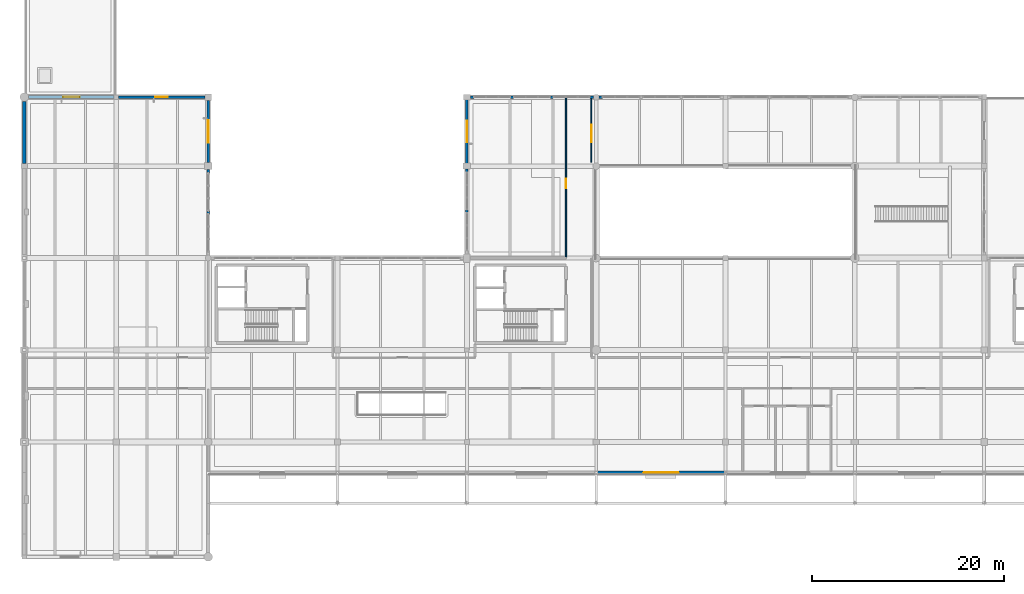
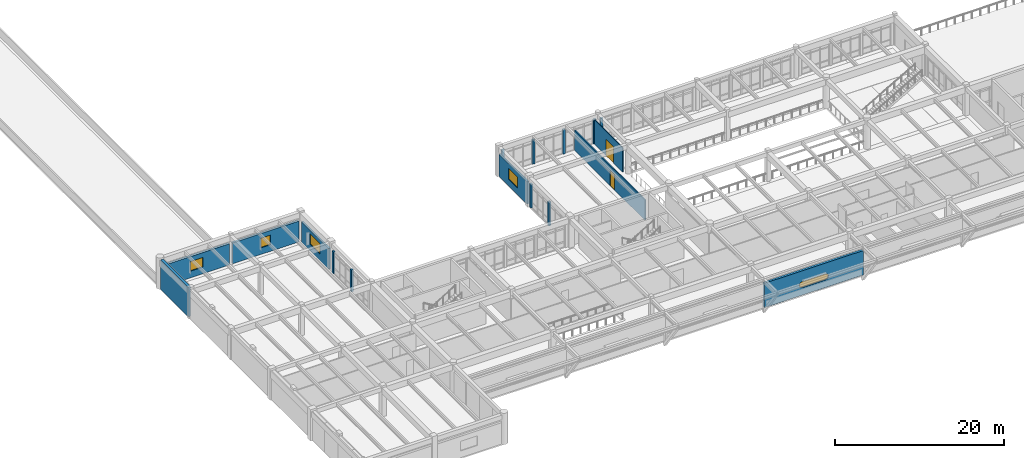
# One storey, part 89 of 109: 17 walls, 5 windows, 2 doors, 7 openings.
"""IFC4 building model written with IfcOpenShell, lengths in metres."""

from ifc_helpers import new_model, si_unit, direction, frame, frame_2d, origin, place, context, subcontext, project, spatial, polyline, rectangle, outline, extrude, material, layer, layer_set, type_object, element, fill, save


model = new_model("IFC4")

# Units and contexts
model_context = context("Model", 3, precision=1e-05, world=origin(), true_north=direction((0.0, 1.0)))
body_context = subcontext(model_context, "Body", "Model", "MODEL_VIEW")
ifc_project = project(units=[si_unit("LENGTHUNIT", "METRE"), si_unit("AREAUNIT", "SQUARE_METRE"), si_unit("VOLUMEUNIT", "CUBIC_METRE"), si_unit("PLANEANGLEUNIT", "RADIAN"), si_unit("MASSUNIT", "GRAM", prefix="KILO")], contexts=[model_context])

# Site, building, storey
site_placement = place(None, origin())
site = spatial("IfcSite", under=ifc_project, at=site_placement, CompositionType="ELEMENT")
building_placement = place(site_placement, origin())
building = spatial("IfcBuilding", under=site, at=building_placement, Name="Fikremerkos Civic Library", CompositionType="ELEMENT")
storey_placement = place(building_placement, frame((0.0, 0.0, 5.39990234375)))
storey = spatial("IfcBuildingStorey", under=building, at=storey_placement, Name="L01", CompositionType="ELEMENT", Elevation=5.39990234375)

# Wall
ifc_material_1 = material(Name="Concrete C40/50", Category="concrete")
ifc_layer_1 = layer(ifc_material_1, 0.35009765625, Name="Concrete C40/50")
ifc_layer_set_1 = layer_set([ifc_layer_1], Name="Concrete C40/50")
wall_type_1 = type_object("IfcWallType", Name="Exterior solid wall ESW-01 350", PredefinedType="SOLIDWALL", material=ifc_layer_set_1)
wall_1_placement = place(storey_placement, frame((0.0, 41.048095703125, 0.0), z_axis=(0.0, 0.0, 1.0), x_axis=(0.0, 1.0, 0.0)))
element("IfcWall", 1, at=wall_1_placement, inside=storey, type_object=wall_type_1, Name="Party boundary wall ESW-01 L01 #336", PredefinedType="SOLIDWALL", context=body_context, shape_type="SweptSolid", body=[
    extrude(rectangle(XDim=6.50390625, YDim=0.35009765625, at=frame_2d((3.251953125, 0.0))), origin(), (0.0, 0.0, 1.0), 4.260009765625),
])

# Wall, opening, window
ifc_material_2 = material(Name="Precast concrete C40/50", Category="concrete")
ifc_layer_2 = layer(ifc_material_2, 0.320068359375, Name="Precast concrete C40/50")
ifc_layer_set_2 = layer_set([ifc_layer_2], Name="Precast concrete C40/50")
wall_type_2 = type_object("IfcWallType", Name="Exterior solid wall ESW-02 320", PredefinedType="SOLIDWALL", material=ifc_layer_set_2)
wall_2_placement = place(storey_placement, frame((73.197998046875, 8.800048828125, 0.0), z_axis=(0.0, 0.0, 1.0), x_axis=(-1.0, 0.0, 0.0)))
wall_2 = element("IfcWall", 2, at=wall_2_placement, inside=storey, type_object=wall_type_2, Name="Cantilever concrete band wall ESW-02 L01 #409", PredefinedType="SOLIDWALL", context=body_context, shape_type="SweptSolid", body=[
    extrude(rectangle(XDim=13.49609375, YDim=0.320068359375, at=frame_2d((6.748046875, 0.0))), origin(), (0.0, 0.0, 1.0), 3.52001953125),
])
opening_1_placement = place(wall_2_placement, frame((4.748046875, 0.0, 1.10009765625)))
opening_1 = element("IfcOpeningElement", 3, at=opening_1_placement, cuts=wall_2, Name="Opening SW-04", PredefinedType="OPENING", context=body_context, shape_type="SweptSolid", body=[
    extrude(outline(polyline([(0.425048828125, 0.85009765625), (0.27978515625, 0.824462890625), (0.15185546875, 0.750732421875), (0.056884765625, 0.6376953125), (0.00634765625, 0.498779296875), (0.00634765625, 0.351318359375), (0.056884765625, 0.212646484375), (0.15185546875, 0.099365234375), (0.27978515625, 0.025634765625), (0.425048828125, 0.0), (3.574951171875, 0.0), (3.72021484375, 0.025634765625), (3.84814453125, 0.099365234375), (3.943115234375, 0.21240234375), (3.99365234375, 0.351318359375), (3.99365234375, 0.498779296875), (3.943115234375, 0.637451171875), (3.84814453125, 0.750732421875), (3.72021484375, 0.824462890625), (3.574951171875, 0.85009765625), (0.425048828125, 0.85009765625)])), frame((0.0, 0.169921875, 0.0), z_axis=(0.0, -1.0, 0.0), x_axis=(1.0, 0.0, 0.0)), (0.0, 0.0, 1.0), 0.340087890625),
])
ifc_material_3 = material(Name="Solar control double glazing", Category="glass")
window_type_1 = type_object("IfcWindowType", Name="Facade slot window SW-04 4000x850", PartitioningType="SINGLE_PANEL", PredefinedType="WINDOW", material=ifc_material_3)
window_1_placement = place(opening_1_placement, origin())
window_1 = element("IfcWindow", 4, at=window_1_placement, inside=storey, type_object=window_type_1, Name="Rounded-end facade slot window SW-04 L01 #4", OverallHeight=0.85009765625, OverallWidth=4.0, PartitioningType="SINGLE_PANEL", PredefinedType="WINDOW", context=body_context, shape_type="SweptSolid", body=[
    extrude(outline(polyline([(0.425048828125, 0.85009765625), (0.27978515625, 0.824462890625), (0.15185546875, 0.750732421875), (0.056884765625, 0.6376953125), (0.00634765625, 0.498779296875), (0.00634765625, 0.351318359375), (0.056884765625, 0.212646484375), (0.15185546875, 0.099365234375), (0.27978515625, 0.025634765625), (0.425048828125, 0.0), (3.574951171875, 0.0), (3.72021484375, 0.025634765625), (3.84814453125, 0.099365234375), (3.943115234375, 0.21240234375), (3.99365234375, 0.351318359375), (3.99365234375, 0.498779296875), (3.943115234375, 0.637451171875), (3.84814453125, 0.750732421875), (3.72021484375, 0.824462890625), (3.574951171875, 0.85009765625), (0.425048828125, 0.85009765625)])), frame((0.0, 0.032470703125, 0.0), z_axis=(0.0, -1.0, 0.0), x_axis=(1.0, 0.0, 0.0)), (0.0, 0.0, 1.0), 0.06494140625),
])
fill(opening_1, window_1)

ifc_layer_3 = layer(ifc_material_2, 0.300048828125, Name="Precast concrete C40/50")
ifc_layer_set_3 = layer_set([ifc_layer_3], Name="Precast concrete C40/50")
wall_type_3 = type_object("IfcWallType", Name="Exterior solid wall ESW-03 300", PredefinedType="SOLIDWALL", material=ifc_layer_set_3)
wall_3_placement = place(storey_placement, frame((0.447998046875, 48.0, 0.0), z_axis=(0.0, 0.0, 1.0), x_axis=(1.0, 0.0, 0.0)))
wall_3 = element("IfcWall", 5, at=wall_3_placement, inside=storey, type_object=wall_type_3, Name="Exterior solid wall ESW-03 L01 #337", PredefinedType="SOLIDWALL", context=body_context, shape_type="SweptSolid", body=[
    extrude(rectangle(XDim=8.928955078125, YDim=0.300048828125, at=frame_2d((4.46435546875, 0.0))), origin(), (0.0, 0.0, 1.0), 3.06005859375),
])
opening_2_placement = place(wall_3_placement, frame((3.614501953125, 0.0, 0.949951171875)))
opening_2 = element("IfcOpeningElement", 6, at=opening_2_placement, cuts=wall_3, Name="Opening CWND-15", PredefinedType="OPENING", context=body_context, shape_type="SweptSolid", body=[
    extrude(rectangle(XDim=1.699951171875, YDim=1.39990234375, at=frame_2d((0.85009765625, 0.699951171875))), frame((0.0, 0.159912109375, 0.0), z_axis=(0.0, -1.0, 0.0), x_axis=(1.0, 0.0, 0.0)), (0.0, 0.0, 1.0), 0.320068359375),
])
window_type_2 = type_object("IfcWindowType", Name="Courtyard window CWND-15 1700x1400", PartitioningType="SINGLE_PANEL", PredefinedType="WINDOW", material=ifc_material_3)
window_2_placement = place(opening_2_placement, origin())
window_2 = element("IfcWindow", 7, at=window_2_placement, inside=storey, type_object=window_type_2, Name="Courtyard window CWND-15 L01 #15", OverallHeight=1.39990234375, OverallWidth=1.699951171875, PartitioningType="SINGLE_PANEL", PredefinedType="WINDOW", context=body_context, shape_type="SweptSolid", body=[
    extrude(rectangle(XDim=1.699951171875, YDim=1.39990234375, at=frame_2d((0.85009765625, 0.699951171875))), frame((0.0, 0.032470703125, 0.0), z_axis=(0.0, -1.0, 0.0), x_axis=(1.0, 0.0, 0.0)), (0.0, 0.0, 1.0), 0.06494140625),
])
fill(opening_2, window_2)

ifc_layer_4 = layer(ifc_material_2, 0.280029296875, Name="Precast concrete C40/50")
ifc_layer_set_4 = layer_set([ifc_layer_4], Name="Precast concrete C40/50")
wall_type_4 = type_object("IfcWallType", Name="Exterior solid wall ESW-04 280", PredefinedType="SOLIDWALL", material=ifc_layer_set_4)
wall_4_placement = place(storey_placement, frame((9.822998046875, 48.0, 0.0), z_axis=(0.0, 0.0, 1.0), x_axis=(1.0, 0.0, 0.0)))
wall_4 = element("IfcWall", 8, at=wall_4_placement, inside=storey, type_object=wall_type_4, Name="Exterior solid wall ESW-04 L01 #338", PredefinedType="SOLIDWALL", context=body_context, shape_type="SweptSolid", body=[
    extrude(rectangle(XDim=9.029052734375, YDim=0.280029296875, at=frame_2d((4.5146484375, 0.0))), origin(), (0.0, 0.0, 1.0), 3.010009765625),
])
opening_3_placement = place(wall_4_placement, frame((3.864501953125, 0.0, 0.949951171875)))
opening_3 = element("IfcOpeningElement", 9, at=opening_3_placement, cuts=wall_4, Name="Opening CWND-16", PredefinedType="OPENING", context=body_context, shape_type="SweptSolid", body=[
    extrude(rectangle(XDim=1.300048828125, YDim=1.39990234375, at=frame_2d((0.64990234375, 0.699951171875))), frame((0.0, 0.14990234375, 0.0), z_axis=(0.0, -1.0, 0.0), x_axis=(1.0, 0.0, 0.0)), (0.0, 0.0, 1.0), 0.300048828125),
])
window_type_3 = type_object("IfcWindowType", Name="Courtyard window CWND-16 1300x1400", PartitioningType="SINGLE_PANEL", PredefinedType="WINDOW", material=ifc_material_3)
window_3_placement = place(opening_3_placement, origin())
window_3 = element("IfcWindow", 10, at=window_3_placement, inside=storey, type_object=window_type_3, Name="Courtyard window CWND-16 L01 #16", OverallHeight=1.39990234375, OverallWidth=1.300048828125, PartitioningType="SINGLE_PANEL", PredefinedType="WINDOW", context=body_context, shape_type="SweptSolid", body=[
    extrude(rectangle(XDim=1.300048828125, YDim=1.39990234375, at=frame_2d((0.64990234375, 0.699951171875))), frame((0.0, 0.032470703125, 0.0), z_axis=(0.0, -1.0, 0.0), x_axis=(1.0, 0.0, 0.0)), (0.0, 0.0, 1.0), 0.06494140625),
])
fill(opening_3, window_3)

ifc_layer_5 = layer(ifc_material_2, 0.25, Name="Precast concrete C40/50")
ifc_layer_set_5 = layer_set([ifc_layer_5], Name="Precast concrete C40/50")
wall_type_5 = type_object("IfcWallType", Name="Exterior solid wall ESW-05 250", PredefinedType="SOLIDWALL", material=ifc_layer_set_5)
wall_5_placement = place(storey_placement, frame((19.199951171875, 47.652099609375, 0.0), z_axis=(0.0, 0.0, 1.0), x_axis=(0.0, -1.0, 0.0)))
wall_5 = element("IfcWall", 11, at=wall_5_placement, inside=storey, type_object=wall_type_5, Name="Exterior solid wall ESW-05 L01 #339", PredefinedType="SOLIDWALL", context=body_context, shape_type="SweptSolid", body=[
    extrude(rectangle(XDim=6.47900390625, YDim=0.25, at=frame_2d((3.239501953125, 0.0))), origin(), (0.0, 0.0, 1.0), 3.010009765625),
])
opening_4_placement = place(wall_5_placement, frame((2.03955078125, 0.0, 0.949951171875)))
opening_4 = element("IfcOpeningElement", 12, at=opening_4_placement, cuts=wall_5, Name="Opening CWND-01", PredefinedType="OPENING", context=body_context, shape_type="SweptSolid", body=[
    extrude(rectangle(XDim=2.39990234375, YDim=1.550048828125, at=frame_2d((1.199951171875, 0.77490234375))), frame((0.0, 0.135009765625, 0.0), z_axis=(0.0, -1.0, 0.0), x_axis=(1.0, 0.0, 0.0)), (0.0, 0.0, 1.0), 0.27001953125),
])
window_type_4 = type_object("IfcWindowType", Name="Courtyard window CWND-01 2400x1550", PartitioningType="SINGLE_PANEL", PredefinedType="WINDOW", material=ifc_material_3)
window_4_placement = place(opening_4_placement, origin())
window_4 = element("IfcWindow", 13, at=window_4_placement, inside=storey, type_object=window_type_4, Name="Courtyard window CWND-01 L01 #17", OverallHeight=1.550048828125, OverallWidth=2.39990234375, PartitioningType="SINGLE_PANEL", PredefinedType="WINDOW", context=body_context, shape_type="SweptSolid", body=[
    extrude(rectangle(XDim=2.39990234375, YDim=1.550048828125, at=frame_2d((1.199951171875, 0.77490234375))), frame((0.0, 0.032470703125, 0.0), z_axis=(0.0, -1.0, 0.0), x_axis=(1.0, 0.0, 0.0)), (0.0, 0.0, 1.0), 0.06494140625),
])
fill(opening_4, window_4)

# Walls
wall_6_placement = place(storey_placement, frame((19.199951171875, 40.427001953125, 0.0), z_axis=(0.0, 0.0, 1.0), x_axis=(0.0, -1.0, 0.0)))
element("IfcWall", 14, at=wall_6_placement, inside=storey, type_object=wall_type_5, Name="Exterior facade pier ESW-05 #340", PredefinedType="SOLIDWALL", context=body_context, shape_type="SweptSolid", body=[
    extrude(rectangle(XDim=0.35009765625, YDim=0.25, at=frame_2d((0.175048828125, 0.0))), origin(), (0.0, 0.0, 1.0), 3.170166015625),
])
wall_7_placement = place(storey_placement, frame((19.199951171875, 36.112548828125, 0.0), z_axis=(0.0, 0.0, 1.0), x_axis=(0.0, -1.0, 0.0)))
element("IfcWall", 15, at=wall_7_placement, inside=storey, type_object=wall_type_5, Name="Exterior facade mullion pier ESW-05 #342", PredefinedType="SOLIDWALL", context=body_context, shape_type="SweptSolid", body=[
    extrude(rectangle(XDim=0.300048828125, YDim=0.25, at=frame_2d((0.14990234375, 0.0))), origin(), (0.0, 0.0, 1.0), 3.170166015625),
])
wall_8_placement = place(storey_placement, frame((46.199951171875, 40.152099609375, 0.0), z_axis=(0.0, 0.0, 1.0), x_axis=(0.0, 1.0, 0.0)))
element("IfcWall", 16, at=wall_8_placement, inside=storey, type_object=wall_type_5, Name="Exterior facade pier ESW-05 #352", PredefinedType="SOLIDWALL", context=body_context, shape_type="SweptSolid", body=[
    extrude(rectangle(XDim=0.349853515625, YDim=0.25, at=frame_2d((0.1748046875, 0.0))), origin(), (0.0, 0.0, 1.0), 3.420166015625),
])
wall_9_placement = place(storey_placement, frame((46.199951171875, 35.925048828125, 0.0), z_axis=(0.0, 0.0, 1.0), x_axis=(0.0, 1.0, 0.0)))
element("IfcWall", 17, at=wall_9_placement, inside=storey, type_object=wall_type_5, Name="Exterior facade mullion pier ESW-05 #353", PredefinedType="SOLIDWALL", context=body_context, shape_type="SweptSolid", body=[
    extrude(rectangle(XDim=0.300048828125, YDim=0.25, at=frame_2d((0.14990234375, 0.0))), origin(), (0.0, 0.0, 1.0), 3.420166015625),
])

# Wall, opening, window
wall_10_placement = place(storey_placement, frame((46.199951171875, 41.097900390625, 0.0), z_axis=(0.0, 0.0, 1.0), x_axis=(0.0, 1.0, 0.0)))
wall_10 = element("IfcWall", 18, at=wall_10_placement, inside=storey, type_object=wall_type_5, Name="Exterior solid wall ESW-05 L01 #354", PredefinedType="SOLIDWALL", context=body_context, shape_type="SweptSolid", body=[
    extrude(rectangle(XDim=6.629150390625, YDim=0.25, at=frame_2d((3.314453125, 0.0))), origin(), (0.0, 0.0, 1.0), 3.22021484375),
])
opening_5_placement = place(wall_10_placement, frame((2.214599609375, 0.0, 0.949951171875)))
opening_5 = element("IfcOpeningElement", 19, at=opening_5_placement, cuts=wall_10, Name="Opening CWND-02", PredefinedType="OPENING", context=body_context, shape_type="SweptSolid", body=[
    extrude(rectangle(XDim=2.199951171875, YDim=1.550048828125, at=frame_2d((1.10009765625, 0.77490234375))), frame((0.0, 0.135009765625, 0.0), z_axis=(0.0, -1.0, 0.0), x_axis=(1.0, 0.0, 0.0)), (0.0, 0.0, 1.0), 0.27001953125),
])
window_type_5 = type_object("IfcWindowType", Name="Courtyard window CWND-02 2200x1550", PartitioningType="SINGLE_PANEL", PredefinedType="WINDOW", material=ifc_material_3)
window_5_placement = place(opening_5_placement, origin())
window_5 = element("IfcWindow", 20, at=window_5_placement, inside=storey, type_object=window_type_5, Name="Courtyard window CWND-02 L01 #18", OverallHeight=1.550048828125, OverallWidth=2.199951171875, PartitioningType="SINGLE_PANEL", PredefinedType="WINDOW", context=body_context, shape_type="SweptSolid", body=[
    extrude(rectangle(XDim=2.199951171875, YDim=1.550048828125, at=frame_2d((1.10009765625, 0.77490234375))), frame((0.0, 0.032470703125, 0.0), z_axis=(0.0, -1.0, 0.0), x_axis=(1.0, 0.0, 0.0)), (0.0, 0.0, 1.0), 0.06494140625),
])
fill(opening_5, window_5)

# Walls
for number, where, z_axis, x_axis, name in (
    (21, (46.572998046875, 48.0, 0.0), (0.0, 0.0, 1.0), (1.0, 0.0, 0.0), "Exterior facade pier ESW-05 #355"),
    (22, (59.052001953125, 48.0, 0.0), (0.0, 0.0, 1.0), (1.0, 0.0, 0.0), "Exterior facade pier ESW-05 #356"),
):
    element("IfcWall", number, at=place(storey_placement, frame(where, z_axis=z_axis, x_axis=x_axis)), inside=storey, type_object=wall_type_5, Name=name, PredefinedType="SOLIDWALL", context=body_context, shape_type="SweptSolid", body=[
        extrude(rectangle(XDim=0.35009765625, YDim=0.25, at=frame_2d((0.175048828125, 0.0))), origin(), (0.0, 0.0, 1.0), 3.510009765625),
    ])
wall_11_placement = place(storey_placement, frame((50.76611328125, 48.0, 0.0), z_axis=(0.0, 0.0, 1.0), x_axis=(1.0, 0.0, 0.0)))
element("IfcWall", 23, at=wall_11_placement, inside=storey, type_object=wall_type_5, Name="Exterior facade mullion pier ESW-05 #357", PredefinedType="SOLIDWALL", context=body_context, shape_type="SweptSolid", body=[
    extrude(rectangle(XDim=0.2998046875, YDim=0.25, at=frame_2d((0.14990234375, 0.0))), origin(), (0.0, 0.0, 1.0), 3.510009765625),
])
wall_12_placement = place(storey_placement, frame((54.908935546875, 48.0, 0.0), z_axis=(0.0, 0.0, 1.0), x_axis=(1.0, 0.0, 0.0)))
element("IfcWall", 24, at=wall_12_placement, inside=storey, type_object=wall_type_5, Name="Exterior facade mullion pier ESW-05 #358", PredefinedType="SOLIDWALL", context=body_context, shape_type="SweptSolid", body=[
    extrude(rectangle(XDim=0.300048828125, YDim=0.25, at=frame_2d((0.14990234375, 0.0))), origin(), (0.0, 0.0, 1.0), 3.510009765625),
])
wall_13_placement = place(storey_placement, frame((59.998046875, 48.0, 0.0), z_axis=(0.0, 0.0, 1.0), x_axis=(1.0, 0.0, 0.0)))
element("IfcWall", 25, at=wall_13_placement, inside=storey, type_object=wall_type_5, Name="Exterior facade pier ESW-05 #359", PredefinedType="SOLIDWALL", context=body_context, shape_type="SweptSolid", body=[
    extrude(rectangle(XDim=0.349853515625, YDim=0.25, at=frame_2d((0.1748046875, 0.0))), origin(), (0.0, 0.0, 1.0), 3.360107421875),
])

# Wall, opening, door
ifc_material_4 = material(Name="Acoustic gypsum stud partition")
ifc_layer_6 = layer(ifc_material_4, 0.14990234375, Name="Acoustic gypsum stud partition")
ifc_layer_set_6 = layer_set([ifc_layer_6], Name="Acoustic gypsum stud partition")
wall_type_6 = type_object("IfcWallType", Name="Interior partition wall IPW-02 150", PredefinedType="PARTITIONING", material=ifc_layer_set_6)
wall_14_placement = place(storey_placement, frame((56.550048828125, 31.304931640625, 0.0), z_axis=(0.0, 0.0, 1.0), x_axis=(0.0, 1.0, 0.0)))
wall_14 = element("IfcWall", 26, at=wall_14_placement, inside=storey, type_object=wall_type_6, Name="Interior wall IPW-02 L01 #169", PredefinedType="PARTITIONING", context=body_context, shape_type="SweptSolid", body=[
    extrude(rectangle(XDim=16.612060546875, YDim=0.14990234375, at=frame_2d((8.30615234375, 0.0))), origin(), (0.0, 0.0, 1.0), 2.900146484375),
])
opening_6_placement = place(wall_14_placement, frame((7.195068359375, 0.0, 0.0)))
opening_6 = element("IfcOpeningElement", 27, at=opening_6_placement, cuts=wall_14, Name="Opening D206", PredefinedType="OPENING", context=body_context, shape_type="SweptSolid", body=[
    extrude(rectangle(XDim=1.0, YDim=2.199951171875, at=frame_2d((0.5, 1.10009765625))), frame((0.0, 0.0849609375, 0.0), z_axis=(0.0, -1.0, 0.0), x_axis=(1.0, 0.0, 0.0)), (0.0, 0.0, 1.0), 0.169921875),
])
ifc_material_5 = material(Name="Hardwood timber and acoustic glass", Category="wood")
door_type_1 = type_object("IfcDoorType", Name="Pedestrian door DT-01 1000x2200", OperationType="NOTDEFINED", PredefinedType="DOOR", material=ifc_material_5)
door_1_placement = place(opening_6_placement, origin())
door_1 = element("IfcDoor", 28, at=door_1_placement, inside=storey, type_object=door_type_1, Name="Interior door D206 L01", OperationType="SINGLE_SWING_LEFT", OverallHeight=2.199951171875, OverallWidth=1.0, PredefinedType="DOOR", context=body_context, shape_type="SweptSolid", body=[
    extrude(rectangle(XDim=1.0, YDim=2.199951171875, at=frame_2d((0.5, 1.10009765625))), frame((0.0, 0.032470703125, 0.0), z_axis=(0.0, -1.0, 0.0), x_axis=(1.0, 0.0, 0.0)), (0.0, 0.0, 1.0), 0.06494140625),
])
fill(opening_6, door_1)

ifc_material_6 = material(Name="Lightweight metal stud partition")
ifc_layer_7 = layer(ifc_material_6, 0.110107421875, Name="Lightweight metal stud partition")
ifc_layer_set_7 = layer_set([ifc_layer_7], Name="Lightweight metal stud partition")
wall_type_7 = type_object("IfcWallType", Name="Interior partition wall IPW-04 110", PredefinedType="PARTITIONING", material=ifc_layer_set_7)
wall_15_placement = place(storey_placement, frame((59.199951171875, 41.199951171875, 0.0), z_axis=(0.0, 0.0, 1.0), x_axis=(0.0, 1.0, 0.0)))
wall_15 = element("IfcWall", 29, at=wall_15_placement, inside=storey, type_object=wall_type_7, Name="Interior wall IPW-04 L01 #171", PredefinedType="PARTITIONING", context=body_context, shape_type="SweptSolid", body=[
    extrude(rectangle(XDim=6.671142578125, YDim=0.110107421875, at=frame_2d((3.33544921875, 0.0))), origin(), (0.0, 0.0, 1.0), 3.510009765625),
])
opening_7_placement = place(wall_15_placement, frame((2.074951171875, 0.0, 0.0)))
opening_7 = element("IfcOpeningElement", 30, at=opening_7_placement, cuts=wall_15, Name="Opening D207", PredefinedType="OPENING", context=body_context, shape_type="SweptSolid", body=[
    extrude(rectangle(XDim=1.85009765625, YDim=2.35009765625, at=frame_2d((0.925048828125, 1.175048828125))), frame((0.0, 0.06494140625, 0.0), z_axis=(0.0, -1.0, 0.0), x_axis=(1.0, 0.0, 0.0)), (0.0, 0.0, 1.0), 0.130126953125),
])
door_type_2 = type_object("IfcDoorType", Name="Pedestrian door DT-09 1850x2350", OperationType="NOTDEFINED", PredefinedType="DOOR", material=ifc_material_5)
door_2_placement = place(opening_7_placement, origin())
door_2 = element("IfcDoor", 31, at=door_2_placement, inside=storey, type_object=door_type_2, Name="Interior door D207 L01", OperationType="SINGLE_SWING_RIGHT", OverallHeight=2.35009765625, OverallWidth=1.85009765625, PredefinedType="DOOR", context=body_context, shape_type="SweptSolid", body=[
    extrude(rectangle(XDim=1.85009765625, YDim=2.35009765625, at=frame_2d((0.925048828125, 1.175048828125))), frame((0.0, 0.032470703125, 0.0), z_axis=(0.0, -1.0, 0.0), x_axis=(1.0, 0.0, 0.0)), (0.0, 0.0, 1.0), 0.06494140625),
])
fill(opening_7, door_2)

save(model, "model.ifc")
